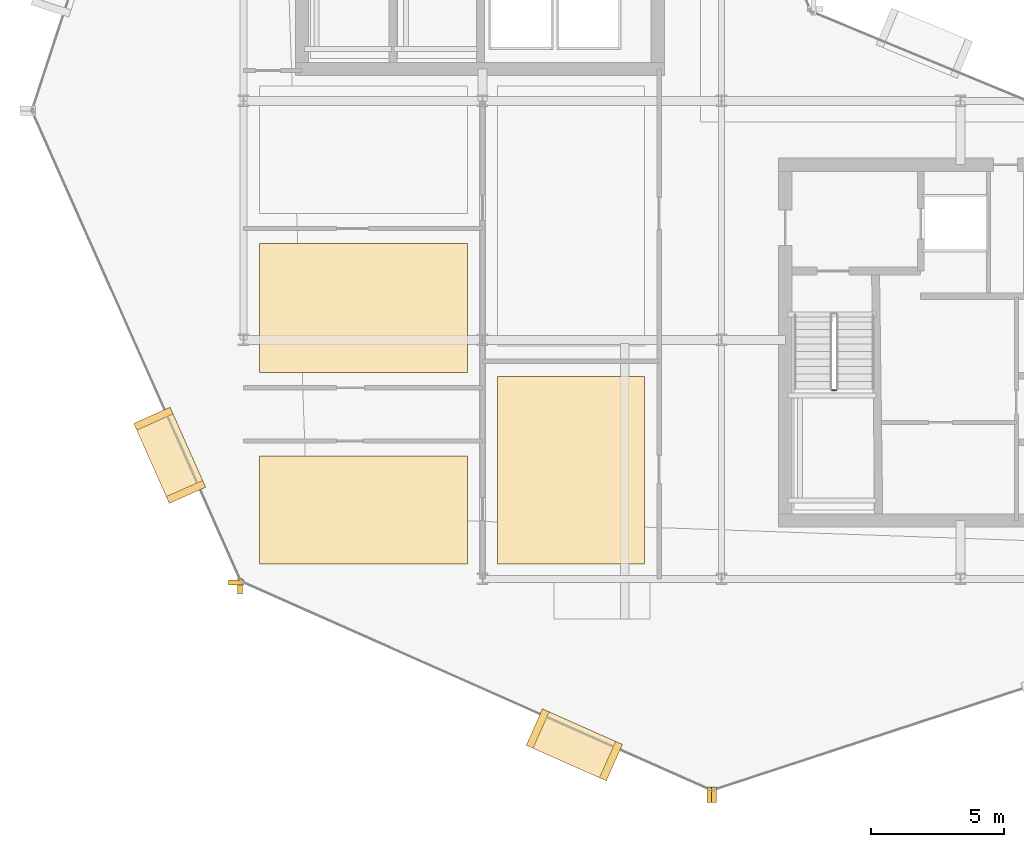
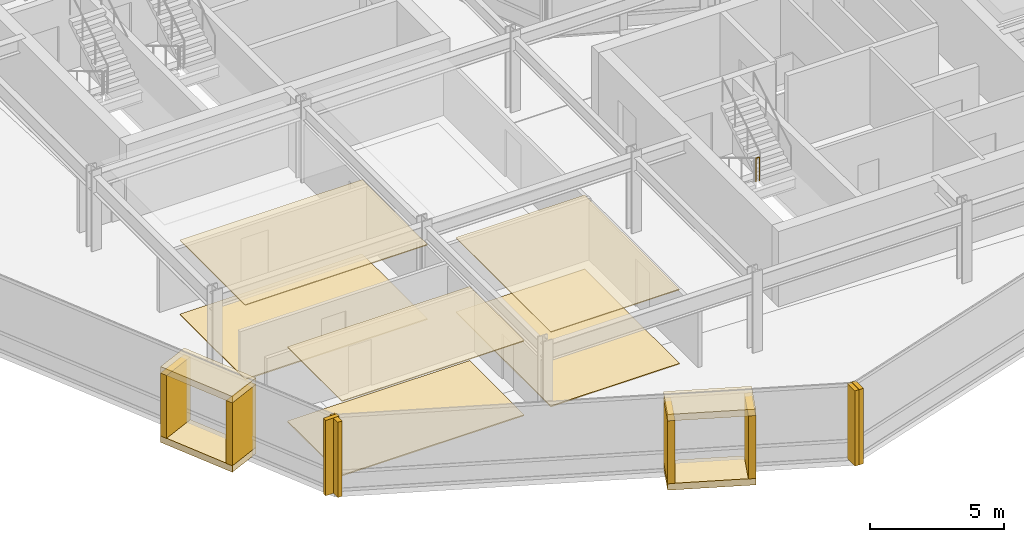
# One storey, part 25 of 29: 18 coverings, 1 railing.
"""IFC4 building model written with IfcOpenShell, lengths in metres."""

from ifc_helpers import new_model, si_unit, direction, frame, origin, origin_2d, place, context, subcontext, project, spatial, polyline, rectangle, circle, outline, extrude, material, layer, layer_set, type_object, element, save


model = new_model("IFC4")

# Units and contexts
model_context = context("Model", 3, precision=1e-05, world=origin(), true_north=direction((0.0, 1.0)))
body_context = subcontext(model_context, "Body", "Model", "MODEL_VIEW")
ifc_project = project(units=[si_unit("LENGTHUNIT", "METRE"), si_unit("AREAUNIT", "SQUARE_METRE"), si_unit("VOLUMEUNIT", "CUBIC_METRE"), si_unit("PLANEANGLEUNIT", "RADIAN"), si_unit("MASSUNIT", "GRAM", prefix="KILO")], contexts=[model_context])

# Site, building, storey
site_placement = place(None, origin())
site = spatial("IfcSite", under=ifc_project, at=site_placement, CompositionType="ELEMENT")
building_placement = place(site_placement, origin())
building = spatial("IfcBuilding", under=site, at=building_placement, Name="Solvaryn Broadcast Tower", CompositionType="ELEMENT")
storey_placement = place(building_placement, frame((0.0, 0.0, 147.0)))
storey = spatial("IfcBuildingStorey", under=building, at=storey_placement, Name="L36", CompositionType="ELEMENT", Elevation=147.0)

# Coverings
ifc_material_1 = material(Name="Micro-Perforated Acoustic Gypsum Ceiling", Category="concrete")
ifc_layer_1 = layer(ifc_material_1, 0.0400390625)
ifc_layer_set_1 = layer_set([ifc_layer_1], Name="CV-CEIL-ACOUSTIC")
covering_type_1 = type_object("IfcCoveringType", Name="CV-CEIL-ACOUSTIC", PredefinedType="CEILING", material=ifc_layer_set_1)
covering_1_placement = place(storey_placement, frame((0.0, 0.0, 3.3798828125)))
element("IfcCovering", 1, at=covering_1_placement, inside=storey, type_object=covering_type_1, Name="L36 Room Acoustic Ceiling 1", PredefinedType="CEILING", context=body_context, shape_type="SweptSolid", body=[
    extrude(outline(polyline([(18.570068359375, 9.570068359375), (24.10009765625, 9.570068359375), (24.10009765625, 16.6298828125), (18.570068359375, 16.6298828125), (18.570068359375, 9.570068359375)])), origin(), (0.0, 0.0, 1.0), 0.0400390625),
])
covering_2_placement = place(storey_placement, frame((0.0, 0.0, 3.3798828125)))
element("IfcCovering", 2, at=covering_2_placement, inside=storey, type_object=covering_type_1, Name="L36 Room Acoustic Ceiling 3", PredefinedType="CEILING", context=body_context, shape_type="SweptSolid", body=[
    extrude(outline(polyline([(9.60009765625, 9.570068359375), (17.429931640625, 9.570068359375), (17.429931640625, 13.6298828125), (9.60009765625, 13.6298828125), (9.60009765625, 9.570068359375)])), origin(), (0.0, 0.0, 1.0), 0.0400390625),
])
covering_3_placement = place(storey_placement, frame((0.0, 0.0, 3.3798828125)))
element("IfcCovering", 3, at=covering_3_placement, inside=storey, type_object=covering_type_1, Name="L36 Room Acoustic Ceiling 4", PredefinedType="CEILING", context=body_context, shape_type="SweptSolid", body=[
    extrude(outline(polyline([(9.60009765625, 16.77001953125), (17.429931640625, 16.77001953125), (17.429931640625, 21.6298828125), (9.60009765625, 21.6298828125), (9.60009765625, 16.77001953125)])), origin(), (0.0, 0.0, 1.0), 0.0400390625),
])
ifc_material_2 = material(Name="Newsroom Raised Data Access Flooring", Category="steel")
ifc_layer_2 = layer(ifc_material_2, 0.050048828125)
ifc_layer_set_2 = layer_set([ifc_layer_2], Name="CV-FLOOR-RAISED")
covering_type_2 = type_object("IfcCoveringType", Name="CV-FLOOR-RAISED", PredefinedType="FLOORING", material=ifc_layer_set_2)
covering_4_placement = place(storey_placement, origin())
element("IfcCovering", 4, at=covering_4_placement, inside=storey, type_object=covering_type_2, Name="L36 Room Acoustic Floor Finish 1", PredefinedType="FLOORING", context=body_context, shape_type="SweptSolid", body=[
    extrude(outline(polyline([(18.570068359375, 9.570068359375), (24.10009765625, 9.570068359375), (24.10009765625, 16.6298828125), (18.570068359375, 16.6298828125), (18.570068359375, 9.570068359375)])), origin(), (0.0, 0.0, 1.0), 0.050048828125),
])
covering_5_placement = place(storey_placement, origin())
element("IfcCovering", 5, at=covering_5_placement, inside=storey, type_object=covering_type_2, Name="L36 Room Acoustic Floor Finish 3", PredefinedType="FLOORING", context=body_context, shape_type="SweptSolid", body=[
    extrude(outline(polyline([(9.60009765625, 9.570068359375), (17.429931640625, 9.570068359375), (17.429931640625, 13.6298828125), (9.60009765625, 13.6298828125), (9.60009765625, 9.570068359375)])), origin(), (0.0, 0.0, 1.0), 0.050048828125),
])
covering_6_placement = place(storey_placement, origin())
element("IfcCovering", 6, at=covering_6_placement, inside=storey, type_object=covering_type_2, Name="L36 Room Acoustic Floor Finish 4", PredefinedType="FLOORING", context=body_context, shape_type="SweptSolid", body=[
    extrude(outline(polyline([(9.60009765625, 16.77001953125), (17.429931640625, 16.77001953125), (17.429931640625, 21.6298828125), (9.60009765625, 21.6298828125), (9.60009765625, 16.77001953125)])), origin(), (0.0, 0.0, 1.0), 0.050048828125),
])
ifc_material_3 = material(Name="Glazed Architectural Terracotta Rainscreen Cladding", Category="masonry")
ifc_layer_3 = layer(ifc_material_3, 0.280029296875)
ifc_layer_set_3 = layer_set([ifc_layer_3], Name="CV-TC-CLAD")
covering_type_3 = type_object("IfcCoveringType", Name="CV-TC-CLAD", PredefinedType="CLADDING", material=ifc_layer_set_3)
for number, where, z_axis, x_axis, name in (
    (7, (6.218994140625, 13.656982421875, 3.1298828125), (0.0, 0.0, 1.0), (0.405939269498, -0.913900054426, 0.0), "L36 Projecting Stone Window Box Hood 2"),
    (8, (6.218994140625, 13.656982421875, -0.01025390625), (0.0, 0.0, 1.0), (0.405939269498, -0.913900054426, 0.0), "L36 Projecting Stone Window Box Sill 2"),
):
    element("IfcCovering", number, at=place(storey_placement, frame(where, z_axis=z_axis, x_axis=x_axis)), inside=storey, type_object=covering_type_3, Name=name, PredefinedType="CLADDING", context=body_context, shape_type="SweptSolid", body=[
        extrude(rectangle(XDim=3.300048828125, YDim=1.5, at=origin_2d()), origin(), (0.0, 0.0, 1.0), 0.300048828125),
    ])
for number, where, z_axis, x_axis, name in (
    (9, (5.60595703125, 15.037109375, 0.27978515625), (0.0, 0.0, 1.0), (0.405939269498, -0.913900054426, 0.0), "L36 Projecting Stone Window Box Cheek 2-1"),
    (10, (6.83203125, 12.277099609375, 0.27978515625), (0.0, 0.0, 1.0), (0.405939269498, -0.913900054426, 0.0), "L36 Projecting Stone Window Box Cheek 2-2"),
):
    element("IfcCovering", number, at=place(storey_placement, frame(where, z_axis=z_axis, x_axis=x_axis)), inside=storey, type_object=covering_type_3, Name=name, PredefinedType="CLADDING", context=body_context, shape_type="SweptSolid", body=[
        extrude(rectangle(XDim=0.280029296875, YDim=1.5, at=origin_2d()), origin(), (0.0, 0.0, 1.0), 2.860107421875),
    ])
for number, where, z_axis, x_axis, name in (
    (11, (21.45703125, 2.75390625, 3.1298828125), (0.0, 0.0, 1.0), (0.913900054426, -0.405939269498, 0.0), "L36 Projecting Stone Window Box Hood 3"),
    (12, (21.45703125, 2.75390625, -0.01025390625), (0.0, 0.0, 1.0), (0.913900054426, -0.405939269498, 0.0), "L36 Projecting Stone Window Box Sill 3"),
):
    element("IfcCovering", number, at=place(storey_placement, frame(where, z_axis=z_axis, x_axis=x_axis)), inside=storey, type_object=covering_type_3, Name=name, PredefinedType="CLADDING", context=body_context, shape_type="SweptSolid", body=[
        extrude(rectangle(XDim=3.300048828125, YDim=1.5, at=origin_2d()), origin(), (0.0, 0.0, 1.0), 0.300048828125),
    ])
for number, where, z_axis, x_axis, name in (
    (13, (20.076904296875, 3.366943359375, 0.27978515625), (0.0, 0.0, 1.0), (0.913900054426, -0.405939269498, 0.0), "L36 Projecting Stone Window Box Cheek 3-1"),
    (14, (22.8369140625, 2.14111328125, 0.27978515625), (0.0, 0.0, 1.0), (0.913900054426, -0.405939269498, 0.0), "L36 Projecting Stone Window Box Cheek 3-2"),
):
    element("IfcCovering", number, at=place(storey_placement, frame(where, z_axis=z_axis, x_axis=x_axis)), inside=storey, type_object=covering_type_3, Name=name, PredefinedType="CLADDING", context=body_context, shape_type="SweptSolid", body=[
        extrude(rectangle(XDim=0.280029296875, YDim=1.5, at=origin_2d()), origin(), (0.0, 0.0, 1.0), 2.860107421875),
    ])
ifc_material_4 = material(Name="Extruded Architectural Terracotta Fin", Category="masonry")
ifc_layer_4 = layer(ifc_material_4, 0.179931640625)
ifc_layer_set_4 = layer_set([ifc_layer_4], Name="CV-TC-FIN")
covering_type_4 = type_object("IfcCoveringType", Name="CV-TC-FIN", PredefinedType="USERDEFINED", material=ifc_layer_set_4)
covering_7_placement = place(storey_placement, frame((8.731689453125, 8.86279296875, 0.0), z_axis=(0.0, 0.0, 1.0), x_axis=(1.0, 0.0, 0.0)))
element("IfcCovering", 15, at=covering_7_placement, inside=storey, type_object=covering_type_4, Name="L36 Terracotta Vertical Fin FIN-L36-DR2-M01", ObjectType="FIN", PredefinedType="USERDEFINED", context=body_context, shape_type="SweptSolid", body=[
    extrude(rectangle(XDim=0.580078125, YDim=0.179931640625, at=origin_2d()), origin(), (0.0, 0.0, 1.0), 3.419921875),
])
for number, where, z_axis, x_axis, name in (
    (16, (8.86279296875, 8.731689453125, 0.0), (0.0, 0.0, 1.0), (1.0, 0.0, 0.0), "L36 Terracotta Vertical Fin FIN-L36-DR3-M00"),
    (17, (26.535888671875, 0.8818359375, 0.0), (0.0, 0.0, 1.0), (1.0, 0.0, 0.0), "L36 Terracotta Vertical Fin FIN-L36-DR3-M01"),
    (18, (26.720703125, 0.872314453125, 0.0), (0.0, 0.0, 1.0), (1.0, 0.0, 0.0), "L36 Terracotta Vertical Fin FIN-L36-DR4-M00"),
):
    element("IfcCovering", number, at=place(storey_placement, frame(where, z_axis=z_axis, x_axis=x_axis)), inside=storey, type_object=covering_type_4, Name=name, ObjectType="FIN", PredefinedType="USERDEFINED", context=body_context, shape_type="SweptSolid", body=[
        extrude(rectangle(XDim=0.179931640625, YDim=0.580078125, at=origin_2d()), origin(), (0.0, 0.0, 1.0), 3.419921875),
    ])

# Railing
ifc_material_5 = material(Name="Painted Steel Stair Well Guard", Category="steel")
railing_type = type_object("IfcRailingType", Name="RL-STAIR-GUARD", PredefinedType="BALUSTRADE", material=ifc_material_5)
railing_placement = place(storey_placement, frame((31.159912109375, 16.110107421875, 1.85009765625)))
element("IfcRailing", 19, at=railing_placement, inside=storey, type_object=railing_type, Name="L36 ST3 stair guard 2", PredefinedType="BALUSTRADE", context=body_context, shape_type="SweptSolid", body=[
    extrude(circle(Radius=0.02392578125, at=origin_2d()), frame((0.0, 0.0, 1.076171875), z_axis=(1.0, 0.0, 0.0), x_axis=(0.0, 1.0, 0.0)), (0.0, 0.0, 1.0), 0.150146484375),
    extrude(circle(Radius=0.02099609375, at=origin_2d()), origin(), (0.0, 0.0, 1.0), 1.052001953125),
    extrude(circle(Radius=0.02099609375, at=origin_2d()), frame((0.150146484375, 0.0, 0.0)), (0.0, 0.0, 1.0), 1.052001953125),
])

save(model, "model.ifc")
